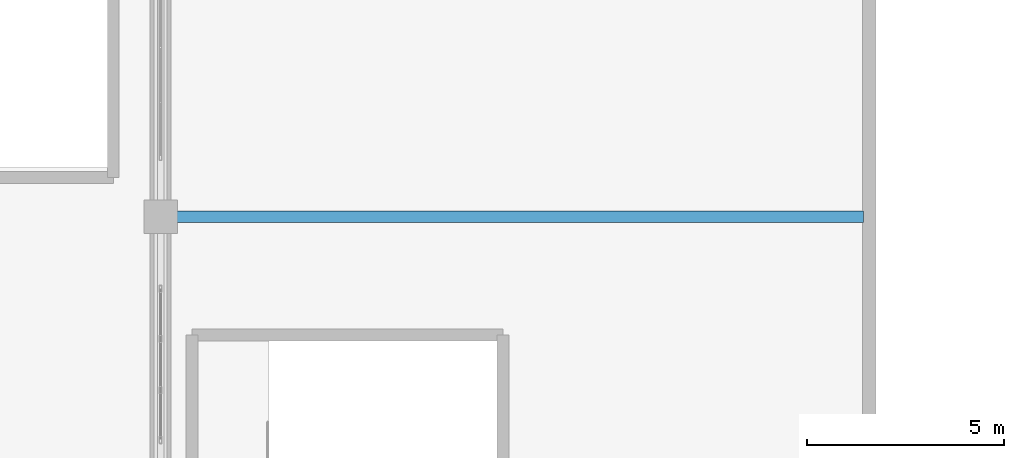
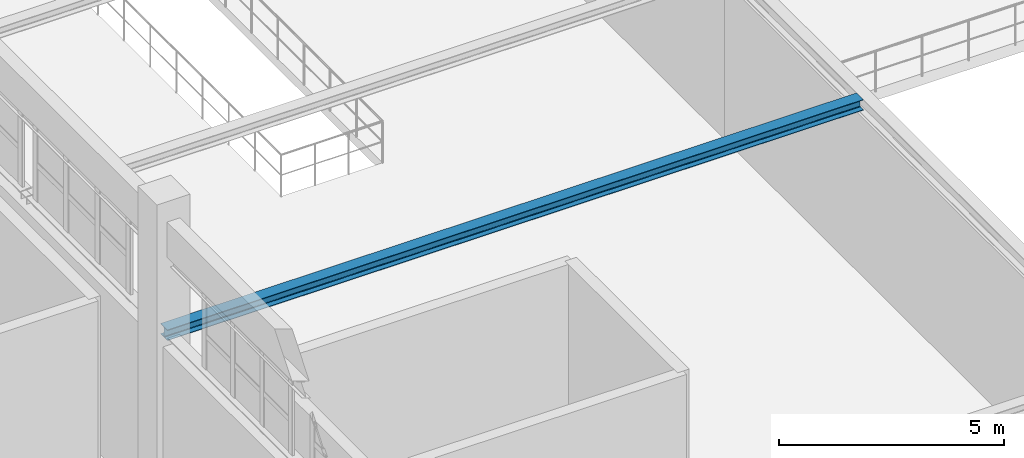
# One storey, part 52 of 97: 1 beam.
"""IFC4 building model written with IfcOpenShell, lengths in metres."""

import ifcopenshell
import ifcopenshell.guid

model = None  # the IFC model being written
_history = None  # IfcOwnerHistory: only IFC2X3 demands one
_inside = {}  # id of a spatial element -> (the spatial element, [elements in it])
_under = {}  # id of a project, library or spatial element -> (it, [spatial elements below it])
_declared = {}  # id of a project -> (the project, [libraries it declares])
_typed = {}  # id of a type object -> (the type object, [elements of that type])
_made_of = {}  # id of a material, layer set ... -> (it, [elements and type objects made of it])


def new_model(schema):
    """Start an empty IFC model of exactly this schema.

    Asked for "IFC4X3", IfcOpenShell would pick the latest addendum, in which some entities
    have other attributes; the version numbers below select the first issue.
    IFC2X3 requires an IfcOwnerHistory on every rooted entity: one is made here for all.
    """
    global model, _history
    if schema == "IFC4X3":
        model = ifcopenshell.file(schema_version=(4, 3, 0, 0))
    else:
        model = ifcopenshell.file(schema=schema)
    _inside.clear()
    _under.clear()
    _declared.clear()
    _typed.clear()
    _made_of.clear()
    _history = None
    if model.schema == "IFC2X3":
        org = make("IfcOrganization", Name="unknown")
        user = make(
            "IfcPersonAndOrganization",
            ThePerson=make("IfcPerson", FamilyName="unknown"),
            TheOrganization=org,
        )
        app = make(
            "IfcApplication",
            ApplicationDeveloper=org,
            Version="unknown",
            ApplicationFullName="unknown",
            ApplicationIdentifier="unknown",
        )
        _history = make(
            "IfcOwnerHistory",
            OwningUser=user,
            OwningApplication=app,
            ChangeAction="ADDED",
            CreationDate=0,
        )
    return model


def make(cls, **values):
    """One entity of the class cls with the attributes given. An attribute that is None is left unset."""
    return model.create_entity(
        cls, **{name: value for name, value in values.items() if value is not None}
    )


def rooted(cls, **values):
    """An entity with a GlobalId (a new one), such as an element, a storey or a relation."""
    return make(cls, GlobalId=ifcopenshell.guid.new(), OwnerHistory=_history, **values)


def si_unit(unit_type, name, prefix=None):
    """IfcSIUnit, for example si_unit("LENGTHUNIT", "METRE", prefix="MILLI")."""
    return make("IfcSIUnit", UnitType=unit_type, Prefix=prefix, Name=name)


def derived_unit(unit_type, elements):
    """IfcDerivedUnit: a product of units, each with its exponent."""
    return make(
        "IfcDerivedUnit",
        Elements=[
            make("IfcDerivedUnitElement", Unit=unit, Exponent=power)
            for unit, power in elements
        ],
        UnitType=unit_type,
    )


def assignment(units):
    """IfcUnitAssignment: the units of a project."""
    return None if units is None else make("IfcUnitAssignment", Units=units)


def point(xyz):
    """IfcCartesianPoint."""
    return None if xyz is None else make("IfcCartesianPoint", Coordinates=xyz)


def direction(xyz):
    """IfcDirection."""
    return None if xyz is None else make("IfcDirection", DirectionRatios=xyz)


def frame(location, z_axis=None, x_axis=None):
    """IfcAxis2Placement3D, a coordinate frame: its origin and axes. An axis left out is left unset."""
    return make(
        "IfcAxis2Placement3D",
        Location=point(location),
        Axis=direction(z_axis),
        RefDirection=direction(x_axis),
    )


def frame_2d(location, x_axis=None):
    """IfcAxis2Placement2D, a coordinate frame in the plane: its origin and x axis."""
    return make(
        "IfcAxis2Placement2D", Location=point(location), RefDirection=direction(x_axis)
    )


def origin():
    """The frame at (0, 0, 0) with its axes left unset."""
    return frame((0.0, 0.0, 0.0))


def origin_2d():
    """The frame at (0, 0) in the plane with its x axis left unset."""
    return frame_2d((0.0, 0.0))


def place(relative_to, where):
    """IfcLocalPlacement: puts the frame where relative to a parent placement (None: the world)."""
    return make(
        "IfcLocalPlacement", PlacementRelTo=relative_to, RelativePlacement=where
    )


def context(
    kind, dimensions, precision=None, world=None, true_north=None, identifier=None
):
    """IfcGeometricRepresentationContext, for example the 3D "Model" context."""
    return make(
        "IfcGeometricRepresentationContext",
        ContextIdentifier=identifier,
        ContextType=kind,
        CoordinateSpaceDimension=dimensions,
        Precision=precision,
        WorldCoordinateSystem=world,
        TrueNorth=true_north,
    )


def subcontext(parent, identifier, kind, view, scale=None):
    """IfcGeometricRepresentationSubContext, for example "Body" below "Model"."""
    return make(
        "IfcGeometricRepresentationSubContext",
        ContextIdentifier=identifier,
        ContextType=kind,
        ParentContext=parent,
        TargetScale=scale,
        TargetView=view,
    )


def project(units=None, contexts=None):
    """IfcProject with its units and contexts."""
    return rooted(
        "IfcProject",
        Name="project",
        RepresentationContexts=contexts,
        UnitsInContext=assignment(units),
    )


def spatial(cls, under=None, at=None, **own):
    """A site, building, storey or space (cls), placed at a placement, below another one or the project."""
    s = rooted(cls, ObjectPlacement=at, **own)
    if under is not None:
        _under.setdefault(under.id(), (under, []))[1].append(s)
    return s


def profile(cls, at=None, kind="AREA", **sizes):
    """A parametric profile (cls). Its sizes go by their IFC names, for example OverallWidth=200.0."""
    return make(cls, ProfileType=kind, Position=at, **sizes)


def i_section(**sizes):
    """IfcIShapeProfileDef."""
    return profile("IfcIShapeProfileDef", **sizes)


def extrude(swept, where, along, depth):
    """IfcExtrudedAreaSolid: the profile swept, set in the frame where, extruded along a direction by depth."""
    return make(
        "IfcExtrudedAreaSolid",
        SweptArea=swept,
        Position=where,
        ExtrudedDirection=direction(along),
        Depth=depth,
    )


def shape(context_of_items, identifier, shape_type, items):
    """IfcShapeRepresentation: the items that make up one representation, for example the "Body"."""
    return make(
        "IfcShapeRepresentation",
        ContextOfItems=context_of_items,
        RepresentationIdentifier=identifier,
        RepresentationType=shape_type,
        Items=items,
    )


def material(Name=None, Category=None):
    """IfcMaterial."""
    return make("IfcMaterial", Name=Name, Category=Category)


def material_profile(
    of_material, cross_section, Name=None, Category=None, Priority=None
):
    """IfcMaterialProfile: a cross section and its material."""
    return make(
        "IfcMaterialProfile",
        Name=Name,
        Material=of_material,
        Profile=cross_section,
        Priority=Priority,
        Category=Category,
    )


def profile_set(profiles, Name=None, composite=None):
    """IfcMaterialProfileSet."""
    return make(
        "IfcMaterialProfileSet",
        Name=Name,
        MaterialProfiles=profiles,
        CompositeProfile=composite,
    )


def made_of(thing, what):
    """Note that an element or type object is made of a material, layer set ...; save() writes the relation."""
    if what is not None:
        _made_of.setdefault(what.id(), (what, []))[1].append(thing)
    return thing


def type_object(cls, material=None, **own):
    """A type object (cls), such as IfcWallType, which elements share."""
    return made_of(rooted(cls, **own), material)


def element(
    cls,
    number,
    at=None,
    inside=None,
    cuts=None,
    type_object=None,
    material=None,
    context=None,
    identifier="Body",
    shape_type=None,
    held_by="IfcProductDefinitionShape",
    body=None,
    shapes=None,
    **own,
):
    """One element of the class cls, such as IfcWall. Its Tag is "e" and its number.

    at: its placement. inside: the storey or other place that contains it. cuts: it is an
    opening in that element (IfcRelVoidsElement). A single representation is given by context,
    identifier, shape_type and body (its items); several are given by shapes. held_by: the class
    of the entity that holds the representations. save() writes the other relations.
    """
    e = rooted(cls, Tag="e%d" % number, ObjectPlacement=at, **own)
    if body is not None:
        shapes = [shape(context, identifier, shape_type, body)]
    if shapes is not None:
        e.Representation = make(held_by, Representations=shapes)
    if inside is not None:
        _inside.setdefault(inside.id(), (inside, []))[1].append(e)
    if cuts is not None:
        rooted(
            "IfcRelVoidsElement", RelatingBuildingElement=cuts, RelatedOpeningElement=e
        )
    if type_object is not None:
        _typed.setdefault(type_object.id(), (type_object, []))[1].append(e)
    return made_of(e, material)


def aggregate(whole, parts):
    """IfcRelAggregates: a whole, such as a stair, and the parts it consists of."""
    return rooted("IfcRelAggregates", RelatingObject=whole, RelatedObjects=parts)


def save(model, path):
    """Write the relations noted so far, then the file.

    IfcRelAggregates (storeys below a building ...), IfcRelContainedInSpatialStructure (elements
    in a storey), IfcRelDefinesByType, IfcRelAssociatesMaterial and IfcRelDeclares: one each for
    every whole, place, type object, material and project.
    """
    for whole, parts in _under.values():
        aggregate(whole, parts)
    for where, things in _inside.values():
        rooted(
            "IfcRelContainedInSpatialStructure",
            RelatedElements=things,
            RelatingStructure=where,
        )
    for kind, things in _typed.values():
        rooted("IfcRelDefinesByType", RelatedObjects=things, RelatingType=kind)
    for what, things in _made_of.values():
        rooted("IfcRelAssociatesMaterial", RelatedObjects=things, RelatingMaterial=what)
    for by, libraries in _declared.values():
        rooted("IfcRelDeclares", RelatingContext=by, RelatedDefinitions=libraries)
    model.write(path)


model = new_model("IFC4")

# Units and contexts
model_context = context("Model", 3, precision=1e-05, world=origin(), true_north=direction((0.0, 1.0)))
body_context = subcontext(model_context, "Body", "Model", "MODEL_VIEW")
ifc_project = project(units=[si_unit("LENGTHUNIT", "METRE"), si_unit("AREAUNIT", "SQUARE_METRE"), si_unit("VOLUMEUNIT", "CUBIC_METRE"), si_unit("PLANEANGLEUNIT", "RADIAN"), si_unit("MASSUNIT", "GRAM", prefix="KILO"), derived_unit("THERMALTRANSMITTANCEUNIT", [(si_unit("POWERUNIT", "WATT"), 1), (si_unit("LENGTHUNIT", "METRE"), -2), (si_unit("THERMODYNAMICTEMPERATUREUNIT", "KELVIN"), -1)])], contexts=[model_context])

# Site, building, storey
site_placement = place(None, origin())
site = spatial("IfcSite", under=ifc_project, at=site_placement, CompositionType="ELEMENT")
building_placement = place(site_placement, origin())
building = spatial("IfcBuilding", under=site, at=building_placement, Name="Almenara Railside Exhibition Hall", CompositionType="ELEMENT")
storey_placement = place(building_placement, frame((0.0, 0.0, 10.800048828125)))
storey = spatial("IfcBuildingStorey", under=building, at=storey_placement, Name="L02", CompositionType="ELEMENT", Elevation=10.800048828125)

# Beam
ifc_material = material(Name="Structural steel S355JR", Category="steel")
ifc_material_profile = material_profile(ifc_material, i_section(OverallWidth=0.300048828125, OverallDepth=0.2900390625, WebThickness=0.008544921875, FlangeThickness=0.013916015625, FilletRadius=0.027099609375, at=origin_2d()), Name="HEA 300")
ifc_profile_set = profile_set([ifc_material_profile], Name="Structural steel S355JR")
beam_type = type_object("IfcBeamType", Name="Steel Concourse Tie Beam HEA 300 S355JR", PredefinedType="BEAM", material=ifc_profile_set)
beam_placement = place(storey_placement, frame((66.0, 84.0, 4.65087890625), z_axis=(1.0, 0.0, 0.0), x_axis=(0.0, 1.0, 0.0)))
element("IfcBeam", 1, at=beam_placement, inside=storey, type_object=beam_type, Name="Beam 0838", PredefinedType="BEAM", context=body_context, shape_type="SweptSolid", body=[
    extrude(i_section(OverallWidth=0.300048828125, OverallDepth=0.2900390625, WebThickness=0.008544921875, FlangeThickness=0.013916015625, FilletRadius=0.027099609375, at=origin_2d()), origin(), (0.0, 0.0, 1.0), 17.85009765625),
])

save(model, "model.ifc")
